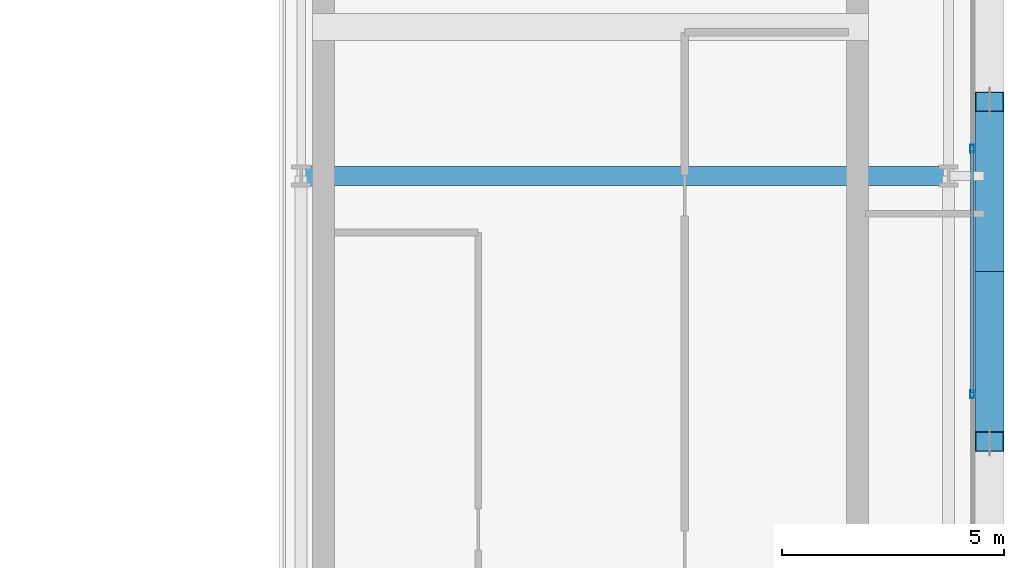
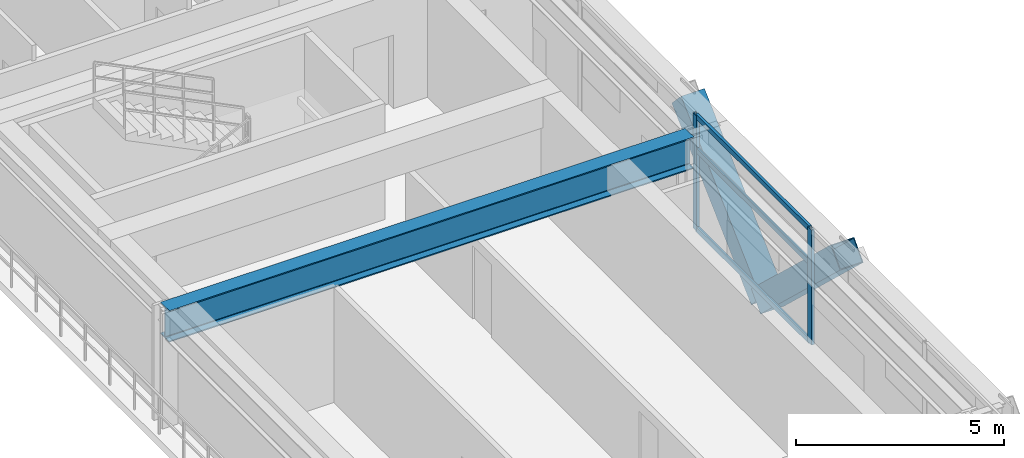
# One storey, part 13 of 32: 7 members, 1 beam, 1 element without a shape of its own.
"""IFC4 building model written with IfcOpenShell, lengths in metres."""

from ifc_helpers import new_model, si_unit, direction, frame, origin, origin_2d, place, context, subcontext, project, spatial, hollow_rectangle, i_section, extrude, source, transform, mapped, material, layer, layer_set, material_profile, profile_set, type_object, element, aggregate, save


model = new_model("IFC4")

# Units and contexts
model_context = context("Model", 3, precision=1e-05, world=origin(), true_north=direction((0.0, 1.0)))
body_context = subcontext(model_context, "Body", "Model", "MODEL_VIEW")
ifc_project = project(units=[si_unit("LENGTHUNIT", "METRE"), si_unit("AREAUNIT", "SQUARE_METRE"), si_unit("VOLUMEUNIT", "CUBIC_METRE"), si_unit("PLANEANGLEUNIT", "RADIAN"), si_unit("MASSUNIT", "GRAM", prefix="KILO")], contexts=[model_context])

# Site, building, storey
site_placement = place(None, origin())
site = spatial("IfcSite", under=ifc_project, at=site_placement, CompositionType="ELEMENT")
building_placement = place(site_placement, origin())
building = spatial("IfcBuilding", under=site, at=building_placement, Name="Ocotamira Hotel", CompositionType="ELEMENT")
storey_placement = place(building_placement, frame((0.0, 0.0, 184.800048828125)))
storey = spatial("IfcBuildingStorey", under=building, at=storey_placement, Name="L46", CompositionType="ELEMENT", Elevation=184.800048828125)

# Beam
ifc_material_1 = material(Name="Steel ASTM A992 Grade 50", Category="steel")
ifc_material_profile_1 = material_profile(ifc_material_1, i_section(OverallWidth=0.41796875, OverallDepth=0.927001953125, WebThickness=0.019287109375, FlangeThickness=0.031982421875, FilletRadius=0.02392578125, at=origin_2d()), Name="W36X231")
ifc_profile_set_1 = profile_set([ifc_material_profile_1], Name="Steel ASTM A992 Grade 50")
beam_type = type_object("IfcBeamType", Name="BM-GIRD-W36X231", PredefinedType="BEAM", material=ifc_profile_set_1)
shared_shape_1 = source(origin(), body_context, "Body", "SweptSolid", [
    extrude(i_section(OverallWidth=0.41796875, OverallDepth=0.927001953125, WebThickness=0.019287109375, FlangeThickness=0.031982421875, FilletRadius=0.02392578125, at=origin_2d()), origin(), (0.0, 0.0, 1.0), 14.550048828125),
])
beam_placement = place(storey_placement, frame((40.5, 28.14990234375, 2.906494140625), z_axis=(1.0, 0.0, 0.0), x_axis=(0.0, 1.0, 0.0)))
element("IfcBeam", 1, at=beam_placement, inside=storey, type_object=beam_type, Name="L46 Girder Y28.15 X40.5-55.05", PredefinedType="BEAM", context=body_context, shape_type="MappedRepresentation", body=[
    mapped(shared_shape_1, transform((0.0, 0.0, 0.0), scale=1.0)),
])

# Members
ifc_material_2 = material(Name="Pale-metal coated steel ASTM A913 Grade 65", Category="steel")
ifc_material_profile_2 = material_profile(ifc_material_2, hollow_rectangle(XDim=0.64990234375, YDim=0.64990234375, WallThickness=0.02197265625, at=origin_2d()), Name="BOX650X650X22")
ifc_profile_set_2 = profile_set([ifc_material_profile_2], Name="Pale-metal coated steel ASTM A913 Grade 65")
member_type_1 = type_object("IfcMemberType", Name="MEM-EXO-BOX650", PredefinedType="BRACE", material=ifc_profile_set_2)
shared_shape_2 = source(origin(), body_context, "Body", "SweptSolid", [
    extrude(hollow_rectangle(XDim=0.64990234375, YDim=0.64990234375, WallThickness=0.02197265625, at=origin_2d()), origin(), (0.0, 0.0, 1.0), 5.24658203125),
])
for number, where, z_axis, x_axis, name in (
    (2, (55.969970703125, 26.0, -0.47998046875), (0.0, -0.72746596067, 0.686143772154), (1.0, 0.0, 0.0), "L46 Exoskeleton Diagrid E1.1"),
    (3, (55.969970703125, 26.0, -0.47998046875), (0.0, 0.72746596067, 0.686143772154), (-1.0, 0.0, 0.0), "L46 Exoskeleton Diagrid E1.2"),
):
    element("IfcMember", number, at=place(storey_placement, frame(where, z_axis=z_axis, x_axis=x_axis)), inside=storey, type_object=member_type_1, Name=name, PredefinedType="BRACE", context=body_context, shape_type="MappedRepresentation", body=[
        mapped(shared_shape_2, transform((0.0, 0.0, 0.0), scale=1.0)),
    ])

# Curtain wall, members
ifc_material_3 = material(Name="Anodised pale-metal aluminium and solar glass", Category="aluminium")
ifc_layer = layer(ifc_material_3, 0.199951171875)
ifc_layer_set = layer_set([ifc_layer], Name="Anodised pale-metal aluminium and solar glass")
curtain_wall_type = type_object("IfcCurtainWallType", Name="CW-SYS4-Z3", PredefinedType="NOTDEFINED", material=ifc_layer_set)
curtain_wall_placement = place(storey_placement, origin())
curtain_wall = element("IfcCurtainWall", 4, at=curtain_wall_placement, inside=storey, type_object=curtain_wall_type, Name="L46 Curtain Wall CW-4 CW-L46-E", PredefinedType="NOTDEFINED")
ifc_material_4 = material(Name="Anodised pale-metal aluminium 6063-T6", Category="aluminium")
ifc_material_profile_3 = material_profile(ifc_material_4, hollow_rectangle(XDim=0.074951171875, YDim=0.14990234375, WallThickness=0.006103515625, at=origin_2d()), Name="HSS150X75X6")
ifc_profile_set_3 = profile_set([ifc_material_profile_3], Name="Anodised pale-metal aluminium 6063-T6")
member_type_2 = type_object("IfcMemberType", Name="CWT-150X75", PredefinedType="USERDEFINED", material=ifc_profile_set_3)
shared_shape_3 = source(origin(), body_context, "Body", "SweptSolid", [
    extrude(hollow_rectangle(XDim=0.074951171875, YDim=0.14990234375, WallThickness=0.006103515625, at=origin_2d()), origin(), (0.0, 0.0, 1.0), 5.43994140625),
])
member_1_placement = place(storey_placement, frame((55.580078125, 23.280029296875, 0.037353515625), z_axis=(0.0, 1.0, 0.0), x_axis=(-1.0, 0.0, 0.0)))
member_1 = element("IfcMember", 5, at=member_1_placement, type_object=member_type_2, Name="CW-4 transom 3.1", ObjectType="TRANSOM", PredefinedType="USERDEFINED", context=body_context, shape_type="MappedRepresentation", body=[
    mapped(shared_shape_3, transform((0.0, 0.0, 0.0), scale=1.0)),
])
member_2_placement = place(storey_placement, frame((55.580078125, 23.280029296875, 2.349853515625), z_axis=(0.0, 1.0, 0.0), x_axis=(-1.0, 0.0, 0.0)))
member_2 = element("IfcMember", 6, at=member_2_placement, type_object=member_type_2, Name="CW-4 transom 3.2", ObjectType="TRANSOM", PredefinedType="USERDEFINED", context=body_context, shape_type="MappedRepresentation", body=[
    mapped(shared_shape_3, transform((0.0, 0.0, 0.0), scale=1.0)),
])
member_3_placement = place(storey_placement, frame((55.580078125, 23.280029296875, 3.33251953125), z_axis=(0.0, 1.0, 0.0), x_axis=(-1.0, 0.0, 0.0)))
member_3 = element("IfcMember", 7, at=member_3_placement, type_object=member_type_2, Name="CW-4 transom 3.3", ObjectType="TRANSOM", PredefinedType="USERDEFINED", context=body_context, shape_type="MappedRepresentation", body=[
    mapped(shared_shape_3, transform((0.0, 0.0, 0.0), scale=1.0)),
])
ifc_material_profile_4 = material_profile(ifc_material_4, hollow_rectangle(XDim=0.080078125, YDim=0.179931640625, WallThickness=0.006103515625, at=origin_2d()), Name="HSS180X80X6")
ifc_profile_set_4 = profile_set([ifc_material_profile_4], Name="Anodised pale-metal aluminium 6063-T6")
member_type_3 = type_object("IfcMemberType", Name="CWM-180X75", PredefinedType="MULLION", material=ifc_profile_set_4)
shared_shape_4 = source(origin(), body_context, "Body", "SweptSolid", [
    extrude(hollow_rectangle(XDim=0.080078125, YDim=0.179931640625, WallThickness=0.006103515625, at=origin_2d()), origin(), (0.0, 0.0, 1.0), 3.369873046875),
])
member_4_placement = place(storey_placement, frame((55.580078125, 23.239990234375, 0.0), z_axis=(0.0, 0.0, 1.0), x_axis=(-1.0, 0.0, 0.0)))
member_4 = element("IfcMember", 8, at=member_4_placement, type_object=member_type_3, Name="CW-4 mullion 3", PredefinedType="MULLION", context=body_context, shape_type="MappedRepresentation", body=[
    mapped(shared_shape_4, transform((0.0, 0.0, 0.0), scale=1.0)),
])
member_5_placement = place(storey_placement, frame((55.580078125, 28.760009765625, 0.0), z_axis=(0.0, 0.0, 1.0), x_axis=(-1.0, 0.0, 0.0)))
member_5 = element("IfcMember", 9, at=member_5_placement, type_object=member_type_3, Name="CW-4 mullion 4", PredefinedType="MULLION", context=body_context, shape_type="MappedRepresentation", body=[
    mapped(shared_shape_4, transform((0.0, 0.0, 0.0), scale=1.0)),
])
aggregate(curtain_wall, [member_4, member_5, member_1, member_2, member_3])

save(model, "model.ifc")
